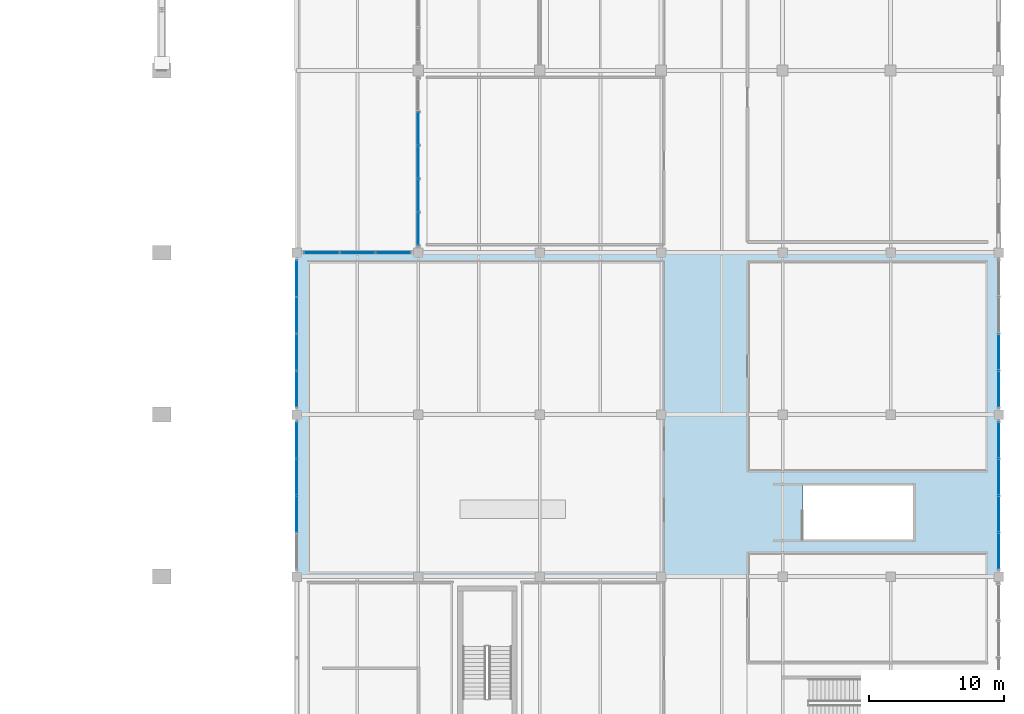
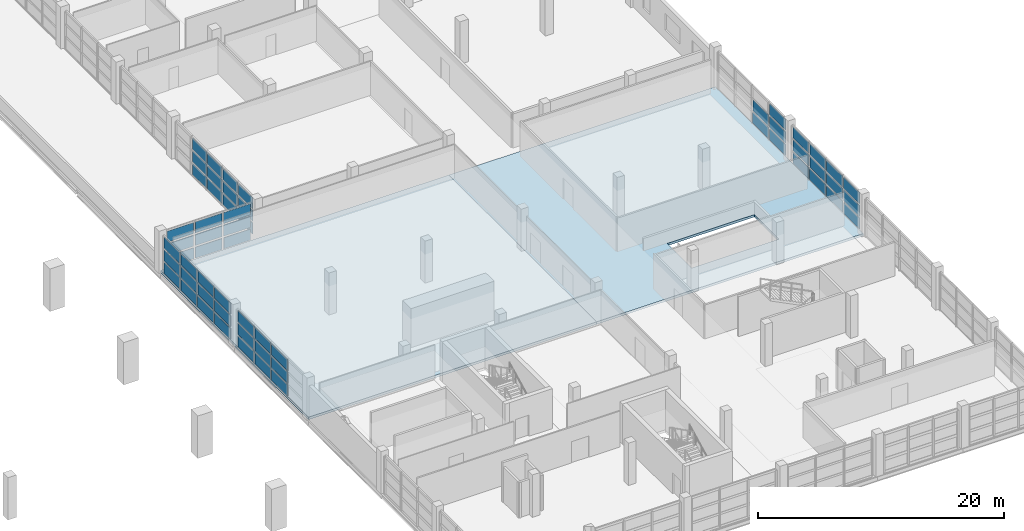
# One storey, part 112 of 136: 59 plates, 2 slabs, 6 elements without a shape of their own.
"""IFC4 building model written with IfcOpenShell, lengths in metres."""

from ifc_helpers import new_model, si_unit, direction, frame, origin, origin_2d, place, context, subcontext, project, spatial, polyline, rectangle, outline, extrude, material, layer, layer_set, type_object, element, aggregate, save


model = new_model("IFC4")

# Units and contexts
model_context = context("Model", 3, precision=1e-05, world=origin(), true_north=direction((0.0, 1.0)))
body_context = subcontext(model_context, "Body", "Model", "MODEL_VIEW")
ifc_project = project(units=[si_unit("LENGTHUNIT", "METRE"), si_unit("AREAUNIT", "SQUARE_METRE"), si_unit("VOLUMEUNIT", "CUBIC_METRE"), si_unit("PLANEANGLEUNIT", "RADIAN"), si_unit("MASSUNIT", "GRAM", prefix="KILO")], contexts=[model_context])

# Site, building, storey
site_placement = place(None, origin())
site = spatial("IfcSite", under=ifc_project, at=site_placement, CompositionType="ELEMENT")
building_placement = place(site_placement, origin())
building = spatial("IfcBuilding", under=site, at=building_placement, Name="Chuanluo Vaults Station", CompositionType="ELEMENT")
storey_placement = place(building_placement, frame((0.0, 0.0, 6.60009765625)))
storey = spatial("IfcBuildingStorey", under=building, at=storey_placement, Name="L01", CompositionType="ELEMENT", Elevation=6.60009765625)

# Curtain wall, plates
ifc_material_1 = material(Name="Anodised aluminium 6063-T6", Category="aluminium")
curtain_wall_type_1 = type_object("IfcCurtainWallType", Name="CW-SYS-07", PredefinedType="NOTDEFINED", material=ifc_material_1)
curtain_wall_1_placement = place(storey_placement, origin())
curtain_wall_1 = element("IfcCurtainWall", 1, at=curtain_wall_1_placement, inside=storey, type_object=curtain_wall_type_1, Name="Retail pavilion L01 facade CW", PredefinedType="NOTDEFINED")
ifc_material_2 = material(Name="Ceramic-fritted spandrel glass", Category="glass")
ifc_layer_1 = layer(ifc_material_2, 0.06396484375)
ifc_layer_set_1 = layer_set([ifc_layer_1], Name="Ceramic-fritted spandrel glass")
plate_type_1 = type_object("IfcPlateType", Name="CWP-SPN-42", PredefinedType="SHEET", material=ifc_layer_set_1)
plate_1_placement = place(storey_placement, frame((136.0, 34.63134765625, 0.080078125), z_axis=(0.0, 0.0, 1.0), x_axis=(0.0, 1.0, 0.0)))
plate_1 = element("IfcPlate", 2, at=plate_1_placement, type_object=plate_type_1, Name="Retail pavilion L01 facade CW glazed panel 2.1", PredefinedType="SHEET", context=body_context, shape_type="SweptSolid", body=[
    extrude(rectangle(XDim=2.577392578125, YDim=0.06396484375, at=origin_2d()), origin(), (0.0, 0.0, 1.0), 1.090087890625),
])
plate_2_placement = place(storey_placement, frame((136.0, 37.36865234375, 0.080078125), z_axis=(0.0, 0.0, 1.0), x_axis=(0.0, 1.0, 0.0)))
plate_2 = element("IfcPlate", 3, at=plate_2_placement, type_object=plate_type_1, Name="Retail pavilion L01 facade CW glazed panel 3.1", PredefinedType="SHEET", context=body_context, shape_type="SweptSolid", body=[
    extrude(rectangle(XDim=2.577392578125, YDim=0.06396484375, at=origin_2d()), origin(), (0.0, 0.0, 1.0), 1.090087890625),
])
plate_3_placement = place(storey_placement, frame((136.0, 40.106201171875, 0.080078125), z_axis=(0.0, 0.0, 1.0), x_axis=(0.0, 1.0, 0.0)))
plate_3 = element("IfcPlate", 4, at=plate_3_placement, type_object=plate_type_1, Name="Retail pavilion L01 facade CW glazed panel 4.1", PredefinedType="SHEET", context=body_context, shape_type="SweptSolid", body=[
    extrude(rectangle(XDim=2.577392578125, YDim=0.06396484375, at=origin_2d()), origin(), (0.0, 0.0, 1.0), 1.090087890625),
])

ifc_material_3 = material(Name="Anodised aluminium 6063-T6", Category="aluminium")
curtain_wall_type_2 = type_object("IfcCurtainWallType", Name="CW-SYS-19", PredefinedType="NOTDEFINED", material=ifc_material_3)
curtain_wall_2_placement = place(storey_placement, origin())
curtain_wall_2 = element("IfcCurtainWall", 5, at=curtain_wall_2_placement, inside=storey, type_object=curtain_wall_type_2, Name="Retail pavilion L01 facade CW", PredefinedType="NOTDEFINED")
plate_4_placement = place(storey_placement, frame((188.0, 46.63134765625, 0.080078125), z_axis=(0.0, 0.0, 1.0), x_axis=(0.0, -1.0, 0.0)))
plate_4 = element("IfcPlate", 6, at=plate_4_placement, type_object=plate_type_1, Name="Retail pavilion L01 facade CW glazed panel 3.1", PredefinedType="SHEET", context=body_context, shape_type="SweptSolid", body=[
    extrude(rectangle(XDim=2.577392578125, YDim=0.06396484375, at=origin_2d()), origin(), (0.0, 0.0, 1.0), 1.090087890625),
])
plate_5_placement = place(storey_placement, frame((188.0, 43.893798828125, 0.080078125), z_axis=(0.0, 0.0, 1.0), x_axis=(0.0, -1.0, 0.0)))
plate_5 = element("IfcPlate", 7, at=plate_5_placement, type_object=plate_type_1, Name="Retail pavilion L01 facade CW glazed panel 4.1", PredefinedType="SHEET", context=body_context, shape_type="SweptSolid", body=[
    extrude(rectangle(XDim=2.577392578125, YDim=0.06396484375, at=origin_2d()), origin(), (0.0, 0.0, 1.0), 1.090087890625),
])

ifc_material_4 = material(Name="Anodised aluminium 6063-T6", Category="aluminium")
curtain_wall_type_3 = type_object("IfcCurtainWallType", Name="CW-SYS-09", PredefinedType="NOTDEFINED", material=ifc_material_4)
curtain_wall_3_placement = place(storey_placement, origin())
curtain_wall_3 = element("IfcCurtainWall", 8, at=curtain_wall_3_placement, inside=storey, type_object=curtain_wall_type_3, Name="Operations L01 facade CW", PredefinedType="NOTDEFINED")
plate_6_placement = place(storey_placement, frame((145.0, 55.764892578125, 0.080078125), z_axis=(0.0, 0.0, 1.0), x_axis=(0.0, 1.0, 0.0)))
plate_6 = element("IfcPlate", 9, at=plate_6_placement, type_object=plate_type_1, Name="Operations L01 facade CW glazed panel 1.1", PredefinedType="SHEET", context=body_context, shape_type="SweptSolid", body=[
    extrude(rectangle(XDim=2.320068359375, YDim=0.06396484375, at=origin_2d()), origin(), (0.0, 0.0, 1.0), 1.090087890625),
])
plate_7_placement = place(storey_placement, frame((145.0, 58.2451171875, 0.080078125), z_axis=(0.0, 0.0, 1.0), x_axis=(0.0, 1.0, 0.0)))
plate_7 = element("IfcPlate", 10, at=plate_7_placement, type_object=plate_type_1, Name="Operations L01 facade CW glazed panel 2.1", PredefinedType="SHEET", context=body_context, shape_type="SweptSolid", body=[
    extrude(rectangle(XDim=2.320068359375, YDim=0.06396484375, at=origin_2d()), origin(), (0.0, 0.0, 1.0), 1.090087890625),
])
plate_8_placement = place(storey_placement, frame((145.0, 60.72509765625, 0.080078125), z_axis=(0.0, 0.0, 1.0), x_axis=(0.0, 1.0, 0.0)))
plate_8 = element("IfcPlate", 11, at=plate_8_placement, type_object=plate_type_1, Name="Operations L01 facade CW glazed panel 3.1", PredefinedType="SHEET", context=body_context, shape_type="SweptSolid", body=[
    extrude(rectangle(XDim=2.320068359375, YDim=0.06396484375, at=origin_2d()), origin(), (0.0, 0.0, 1.0), 1.090087890625),
])
plate_9_placement = place(storey_placement, frame((145.0, 63.205078125, 0.080078125), z_axis=(0.0, 0.0, 1.0), x_axis=(0.0, 1.0, 0.0)))
plate_9 = element("IfcPlate", 12, at=plate_9_placement, type_object=plate_type_1, Name="Operations L01 facade CW glazed panel 4.1", PredefinedType="SHEET", context=body_context, shape_type="SweptSolid", body=[
    extrude(rectangle(XDim=2.320068359375, YDim=0.06396484375, at=origin_2d()), origin(), (0.0, 0.0, 1.0), 1.090087890625),
])

ifc_material_5 = material(Name="Anodised aluminium 6063-T6", Category="aluminium")
curtain_wall_type_4 = type_object("IfcCurtainWallType", Name="CW-SYS-08", PredefinedType="NOTDEFINED", material=ifc_material_5)
curtain_wall_4_placement = place(storey_placement, origin())
curtain_wall_4 = element("IfcCurtainWall", 13, at=curtain_wall_4_placement, inside=storey, type_object=curtain_wall_type_4, Name="Retail pavilion L01 facade CW", PredefinedType="NOTDEFINED")
ifc_material_6 = material(Name="Ceramic-fritted spandrel glass", Category="glass")
ifc_layer_2 = layer(ifc_material_6, 0.070068359375)
ifc_layer_set_2 = layer_set([ifc_layer_2], Name="Ceramic-fritted spandrel glass")
plate_type_2 = type_object("IfcPlateType", Name="CWP-SPN-50", PredefinedType="SHEET", material=ifc_layer_set_2)
plate_10_placement = place(storey_placement, frame((136.0, 43.893798828125, 0.080078125), z_axis=(0.0, 0.0, 1.0), x_axis=(0.0, 1.0, 0.0)))
plate_10 = element("IfcPlate", 14, at=plate_10_placement, type_object=plate_type_2, Name="Retail pavilion L01 facade CW glazed panel 1.1", PredefinedType="SHEET", context=body_context, shape_type="SweptSolid", body=[
    extrude(rectangle(XDim=2.577392578125, YDim=0.070068359375, at=origin_2d()), origin(), (0.0, 0.0, 1.0), 1.090087890625),
])
plate_11_placement = place(storey_placement, frame((136.0, 46.63134765625, 0.080078125), z_axis=(0.0, 0.0, 1.0), x_axis=(0.0, 1.0, 0.0)))
plate_11 = element("IfcPlate", 15, at=plate_11_placement, type_object=plate_type_2, Name="Retail pavilion L01 facade CW glazed panel 2.1", PredefinedType="SHEET", context=body_context, shape_type="SweptSolid", body=[
    extrude(rectangle(XDim=2.577392578125, YDim=0.070068359375, at=origin_2d()), origin(), (0.0, 0.0, 1.0), 1.090087890625),
])
plate_12_placement = place(storey_placement, frame((136.0, 49.36865234375, 0.080078125), z_axis=(0.0, 0.0, 1.0), x_axis=(0.0, 1.0, 0.0)))
plate_12 = element("IfcPlate", 16, at=plate_12_placement, type_object=plate_type_2, Name="Retail pavilion L01 facade CW glazed panel 3.1", PredefinedType="SHEET", context=body_context, shape_type="SweptSolid", body=[
    extrude(rectangle(XDim=2.577392578125, YDim=0.070068359375, at=origin_2d()), origin(), (0.0, 0.0, 1.0), 1.090087890625),
])
plate_13_placement = place(storey_placement, frame((136.0, 52.106201171875, 0.080078125), z_axis=(0.0, 0.0, 1.0), x_axis=(0.0, 1.0, 0.0)))
plate_13 = element("IfcPlate", 17, at=plate_13_placement, type_object=plate_type_2, Name="Retail pavilion L01 facade CW glazed panel 4.1", PredefinedType="SHEET", context=body_context, shape_type="SweptSolid", body=[
    extrude(rectangle(XDim=2.577392578125, YDim=0.070068359375, at=origin_2d()), origin(), (0.0, 0.0, 1.0), 1.090087890625),
])

ifc_material_7 = material(Name="Anodised aluminium 6063-T6", Category="aluminium")
curtain_wall_type_5 = type_object("IfcCurtainWallType", Name="CW-SYS-18", PredefinedType="NOTDEFINED", material=ifc_material_7)
curtain_wall_5_placement = place(storey_placement, origin())
curtain_wall_5 = element("IfcCurtainWall", 18, at=curtain_wall_5_placement, inside=storey, type_object=curtain_wall_type_5, Name="Retail pavilion L01 facade CW", PredefinedType="NOTDEFINED")
plate_14_placement = place(storey_placement, frame((188.0, 40.106201171875, 0.080078125), z_axis=(0.0, 0.0, 1.0), x_axis=(0.0, -1.0, 0.0)))
plate_14 = element("IfcPlate", 19, at=plate_14_placement, type_object=plate_type_2, Name="Retail pavilion L01 facade CW glazed panel 1.1", PredefinedType="SHEET", context=body_context, shape_type="SweptSolid", body=[
    extrude(rectangle(XDim=2.577392578125, YDim=0.070068359375, at=origin_2d()), origin(), (0.0, 0.0, 1.0), 1.090087890625),
])
plate_15_placement = place(storey_placement, frame((188.0, 37.36865234375, 0.080078125), z_axis=(0.0, 0.0, 1.0), x_axis=(0.0, -1.0, 0.0)))
plate_15 = element("IfcPlate", 20, at=plate_15_placement, type_object=plate_type_2, Name="Retail pavilion L01 facade CW glazed panel 2.1", PredefinedType="SHEET", context=body_context, shape_type="SweptSolid", body=[
    extrude(rectangle(XDim=2.577392578125, YDim=0.070068359375, at=origin_2d()), origin(), (0.0, 0.0, 1.0), 1.090087890625),
])
plate_16_placement = place(storey_placement, frame((188.0, 34.63134765625, 0.080078125), z_axis=(0.0, 0.0, 1.0), x_axis=(0.0, -1.0, 0.0)))
plate_16 = element("IfcPlate", 21, at=plate_16_placement, type_object=plate_type_2, Name="Retail pavilion L01 facade CW glazed panel 3.1", PredefinedType="SHEET", context=body_context, shape_type="SweptSolid", body=[
    extrude(rectangle(XDim=2.577392578125, YDim=0.070068359375, at=origin_2d()), origin(), (0.0, 0.0, 1.0), 1.090087890625),
])
plate_17_placement = place(storey_placement, frame((188.0, 31.893798828125, 0.080078125), z_axis=(0.0, 0.0, 1.0), x_axis=(0.0, -1.0, 0.0)))
plate_17 = element("IfcPlate", 22, at=plate_17_placement, type_object=plate_type_2, Name="Retail pavilion L01 facade CW glazed panel 4.1", PredefinedType="SHEET", context=body_context, shape_type="SweptSolid", body=[
    extrude(rectangle(XDim=2.577392578125, YDim=0.070068359375, at=origin_2d()), origin(), (0.0, 0.0, 1.0), 1.090087890625),
])

ifc_material_8 = material(Name="Anodised aluminium 6063-T6", Category="aluminium")
curtain_wall_type_6 = type_object("IfcCurtainWallType", Name="CW-SYS-20", PredefinedType="NOTDEFINED", material=ifc_material_8)
curtain_wall_6_placement = place(storey_placement, origin())
curtain_wall_6 = element("IfcCurtainWall", 23, at=curtain_wall_6_placement, inside=storey, type_object=curtain_wall_type_6, Name="Retail pavilion L01 facade CW", PredefinedType="NOTDEFINED")
plate_18_placement = place(storey_placement, frame((137.85009765625, 54.0, 0.080078125), z_axis=(0.0, 0.0, 1.0), x_axis=(1.0, 0.0, 0.0)))
plate_18 = element("IfcPlate", 24, at=plate_18_placement, type_object=plate_type_2, Name="Retail pavilion L01 facade CW glazed panel 1.1", PredefinedType="SHEET", context=body_context, shape_type="SweptSolid", body=[
    extrude(rectangle(XDim=2.489990234375, YDim=0.070068359375, at=origin_2d()), origin(), (0.0, 0.0, 1.0), 1.090087890625),
])
plate_19_placement = place(storey_placement, frame((140.5, 54.0, 0.080078125), z_axis=(0.0, 0.0, 1.0), x_axis=(1.0, 0.0, 0.0)))
plate_19 = element("IfcPlate", 25, at=plate_19_placement, type_object=plate_type_2, Name="Retail pavilion L01 facade CW glazed panel 2.1", PredefinedType="SHEET", context=body_context, shape_type="SweptSolid", body=[
    extrude(rectangle(XDim=2.489990234375, YDim=0.070068359375, at=origin_2d()), origin(), (0.0, 0.0, 1.0), 1.090087890625),
])
plate_20_placement = place(storey_placement, frame((143.14990234375, 54.0, 0.080078125), z_axis=(0.0, 0.0, 1.0), x_axis=(1.0, 0.0, 0.0)))
plate_20 = element("IfcPlate", 26, at=plate_20_placement, type_object=plate_type_2, Name="Retail pavilion L01 facade CW glazed panel 3.1", PredefinedType="SHEET", context=body_context, shape_type="SweptSolid", body=[
    extrude(rectangle(XDim=2.489990234375, YDim=0.070068359375, at=origin_2d()), origin(), (0.0, 0.0, 1.0), 1.090087890625),
])

# Plate
ifc_material_9 = material(Name="Double-silver Low-E laminated glass", Category="glass")
ifc_layer_3 = layer(ifc_material_9, 0.0439453125)
ifc_layer_set_3 = layer_set([ifc_layer_3], Name="Double-silver Low-E laminated glass")
plate_type_3 = type_object("IfcPlateType", Name="CWP-VIS-28", PredefinedType="CURTAIN_PANEL", material=ifc_layer_set_3)
plate_21_placement = place(storey_placement, frame((136.0, 43.893798828125, 1.330078125), z_axis=(0.0, 0.0, 1.0), x_axis=(0.0, 1.0, 0.0)))
plate_21 = element("IfcPlate", 27, at=plate_21_placement, type_object=plate_type_3, Name="Retail pavilion L01 facade CW glazed panel 1.2", PredefinedType="CURTAIN_PANEL", context=body_context, shape_type="SweptSolid", body=[
    extrude(rectangle(XDim=2.577392578125, YDim=0.0439453125, at=origin_2d()), origin(), (0.0, 0.0, 1.0), 1.090087890625),
])

plate_22_placement = place(storey_placement, frame((136.0, 43.893798828125, 2.580078125), z_axis=(0.0, 0.0, 1.0), x_axis=(0.0, 1.0, 0.0)))
plate_22 = element("IfcPlate", 28, at=plate_22_placement, type_object=plate_type_3, Name="Retail pavilion L01 facade CW glazed panel 1.3", PredefinedType="CURTAIN_PANEL", context=body_context, shape_type="SweptSolid", body=[
    extrude(rectangle(XDim=2.577392578125, YDim=0.0439453125, at=origin_2d()), origin(), (0.0, 0.0, 1.0), 1.090087890625),
])

plate_23_placement = place(storey_placement, frame((136.0, 46.63134765625, 1.330078125), z_axis=(0.0, 0.0, 1.0), x_axis=(0.0, 1.0, 0.0)))
plate_23 = element("IfcPlate", 29, at=plate_23_placement, type_object=plate_type_3, Name="Retail pavilion L01 facade CW glazed panel 2.2", PredefinedType="CURTAIN_PANEL", context=body_context, shape_type="SweptSolid", body=[
    extrude(rectangle(XDim=2.577392578125, YDim=0.0439453125, at=origin_2d()), origin(), (0.0, 0.0, 1.0), 1.090087890625),
])

plate_24_placement = place(storey_placement, frame((136.0, 46.63134765625, 2.580078125), z_axis=(0.0, 0.0, 1.0), x_axis=(0.0, 1.0, 0.0)))
plate_24 = element("IfcPlate", 30, at=plate_24_placement, type_object=plate_type_3, Name="Retail pavilion L01 facade CW glazed panel 2.3", PredefinedType="CURTAIN_PANEL", context=body_context, shape_type="SweptSolid", body=[
    extrude(rectangle(XDim=2.577392578125, YDim=0.0439453125, at=origin_2d()), origin(), (0.0, 0.0, 1.0), 1.090087890625),
])

plate_25_placement = place(storey_placement, frame((136.0, 49.36865234375, 1.330078125), z_axis=(0.0, 0.0, 1.0), x_axis=(0.0, 1.0, 0.0)))
plate_25 = element("IfcPlate", 31, at=plate_25_placement, type_object=plate_type_3, Name="Retail pavilion L01 facade CW glazed panel 3.2", PredefinedType="CURTAIN_PANEL", context=body_context, shape_type="SweptSolid", body=[
    extrude(rectangle(XDim=2.577392578125, YDim=0.0439453125, at=origin_2d()), origin(), (0.0, 0.0, 1.0), 1.090087890625),
])

plate_26_placement = place(storey_placement, frame((136.0, 49.36865234375, 2.580078125), z_axis=(0.0, 0.0, 1.0), x_axis=(0.0, 1.0, 0.0)))
plate_26 = element("IfcPlate", 32, at=plate_26_placement, type_object=plate_type_3, Name="Retail pavilion L01 facade CW glazed panel 3.3", PredefinedType="CURTAIN_PANEL", context=body_context, shape_type="SweptSolid", body=[
    extrude(rectangle(XDim=2.577392578125, YDim=0.0439453125, at=origin_2d()), origin(), (0.0, 0.0, 1.0), 1.090087890625),
])

plate_27_placement = place(storey_placement, frame((136.0, 52.106201171875, 1.330078125), z_axis=(0.0, 0.0, 1.0), x_axis=(0.0, 1.0, 0.0)))
plate_27 = element("IfcPlate", 33, at=plate_27_placement, type_object=plate_type_3, Name="Retail pavilion L01 facade CW glazed panel 4.2", PredefinedType="CURTAIN_PANEL", context=body_context, shape_type="SweptSolid", body=[
    extrude(rectangle(XDim=2.577392578125, YDim=0.0439453125, at=origin_2d()), origin(), (0.0, 0.0, 1.0), 1.090087890625),
])

plate_28_placement = place(storey_placement, frame((136.0, 52.106201171875, 2.580078125), z_axis=(0.0, 0.0, 1.0), x_axis=(0.0, 1.0, 0.0)))
plate_28 = element("IfcPlate", 34, at=plate_28_placement, type_object=plate_type_3, Name="Retail pavilion L01 facade CW glazed panel 4.3", PredefinedType="CURTAIN_PANEL", context=body_context, shape_type="SweptSolid", body=[
    extrude(rectangle(XDim=2.577392578125, YDim=0.0439453125, at=origin_2d()), origin(), (0.0, 0.0, 1.0), 1.090087890625),
])

aggregate(curtain_wall_4, [plate_10, plate_21, plate_22, plate_11, plate_23, plate_24, plate_12, plate_25, plate_26, plate_13, plate_27, plate_28])

plate_29_placement = place(storey_placement, frame((137.85009765625, 54.0, 1.330078125), z_axis=(0.0, 0.0, 1.0), x_axis=(1.0, 0.0, 0.0)))
plate_29 = element("IfcPlate", 35, at=plate_29_placement, type_object=plate_type_3, Name="Retail pavilion L01 facade CW glazed panel 1.2", PredefinedType="CURTAIN_PANEL", context=body_context, shape_type="SweptSolid", body=[
    extrude(rectangle(XDim=2.489990234375, YDim=0.0439453125, at=origin_2d()), origin(), (0.0, 0.0, 1.0), 1.090087890625),
])

plate_30_placement = place(storey_placement, frame((137.85009765625, 54.0, 2.580078125), z_axis=(0.0, 0.0, 1.0), x_axis=(1.0, 0.0, 0.0)))
plate_30 = element("IfcPlate", 36, at=plate_30_placement, type_object=plate_type_3, Name="Retail pavilion L01 facade CW glazed panel 1.3", PredefinedType="CURTAIN_PANEL", context=body_context, shape_type="SweptSolid", body=[
    extrude(rectangle(XDim=2.489990234375, YDim=0.0439453125, at=origin_2d()), origin(), (0.0, 0.0, 1.0), 1.090087890625),
])

plate_31_placement = place(storey_placement, frame((140.5, 54.0, 1.330078125), z_axis=(0.0, 0.0, 1.0), x_axis=(1.0, 0.0, 0.0)))
plate_31 = element("IfcPlate", 37, at=plate_31_placement, type_object=plate_type_3, Name="Retail pavilion L01 facade CW glazed panel 2.2", PredefinedType="CURTAIN_PANEL", context=body_context, shape_type="SweptSolid", body=[
    extrude(rectangle(XDim=2.489990234375, YDim=0.0439453125, at=origin_2d()), origin(), (0.0, 0.0, 1.0), 1.090087890625),
])

plate_32_placement = place(storey_placement, frame((140.5, 54.0, 2.580078125), z_axis=(0.0, 0.0, 1.0), x_axis=(1.0, 0.0, 0.0)))
plate_32 = element("IfcPlate", 38, at=plate_32_placement, type_object=plate_type_3, Name="Retail pavilion L01 facade CW glazed panel 2.3", PredefinedType="CURTAIN_PANEL", context=body_context, shape_type="SweptSolid", body=[
    extrude(rectangle(XDim=2.489990234375, YDim=0.0439453125, at=origin_2d()), origin(), (0.0, 0.0, 1.0), 1.090087890625),
])

plate_33_placement = place(storey_placement, frame((143.14990234375, 54.0, 1.330078125), z_axis=(0.0, 0.0, 1.0), x_axis=(1.0, 0.0, 0.0)))
plate_33 = element("IfcPlate", 39, at=plate_33_placement, type_object=plate_type_3, Name="Retail pavilion L01 facade CW glazed panel 3.2", PredefinedType="CURTAIN_PANEL", context=body_context, shape_type="SweptSolid", body=[
    extrude(rectangle(XDim=2.489990234375, YDim=0.0439453125, at=origin_2d()), origin(), (0.0, 0.0, 1.0), 1.090087890625),
])

plate_34_placement = place(storey_placement, frame((143.14990234375, 54.0, 2.580078125), z_axis=(0.0, 0.0, 1.0), x_axis=(1.0, 0.0, 0.0)))
plate_34 = element("IfcPlate", 40, at=plate_34_placement, type_object=plate_type_3, Name="Retail pavilion L01 facade CW glazed panel 3.3", PredefinedType="CURTAIN_PANEL", context=body_context, shape_type="SweptSolid", body=[
    extrude(rectangle(XDim=2.489990234375, YDim=0.0439453125, at=origin_2d()), origin(), (0.0, 0.0, 1.0), 1.090087890625),
])

aggregate(curtain_wall_6, [plate_18, plate_29, plate_30, plate_19, plate_31, plate_32, plate_20, plate_33, plate_34])

ifc_material_10 = material(Name="Double-silver Low-E laminated glass", Category="glass")
ifc_layer_4 = layer(ifc_material_10, 0.048095703125)
ifc_layer_set_4 = layer_set([ifc_layer_4], Name="Double-silver Low-E laminated glass")
plate_type_4 = type_object("IfcPlateType", Name="CWP-VIS-32", PredefinedType="CURTAIN_PANEL", material=ifc_layer_set_4)
plate_35_placement = place(storey_placement, frame((136.0, 34.63134765625, 1.330078125), z_axis=(0.0, 0.0, 1.0), x_axis=(0.0, 1.0, 0.0)))
plate_35 = element("IfcPlate", 41, at=plate_35_placement, type_object=plate_type_4, Name="Retail pavilion L01 facade CW glazed panel 2.2", PredefinedType="CURTAIN_PANEL", context=body_context, shape_type="SweptSolid", body=[
    extrude(rectangle(XDim=2.577392578125, YDim=0.048095703125, at=origin_2d()), origin(), (0.0, 0.0, 1.0), 1.090087890625),
])

plate_36_placement = place(storey_placement, frame((136.0, 34.63134765625, 2.580078125), z_axis=(0.0, 0.0, 1.0), x_axis=(0.0, 1.0, 0.0)))
plate_36 = element("IfcPlate", 42, at=plate_36_placement, type_object=plate_type_4, Name="Retail pavilion L01 facade CW glazed panel 2.3", PredefinedType="CURTAIN_PANEL", context=body_context, shape_type="SweptSolid", body=[
    extrude(rectangle(XDim=2.577392578125, YDim=0.048095703125, at=origin_2d()), origin(), (0.0, 0.0, 1.0), 1.090087890625),
])

plate_37_placement = place(storey_placement, frame((136.0, 37.36865234375, 1.330078125), z_axis=(0.0, 0.0, 1.0), x_axis=(0.0, 1.0, 0.0)))
plate_37 = element("IfcPlate", 43, at=plate_37_placement, type_object=plate_type_4, Name="Retail pavilion L01 facade CW glazed panel 3.2", PredefinedType="CURTAIN_PANEL", context=body_context, shape_type="SweptSolid", body=[
    extrude(rectangle(XDim=2.577392578125, YDim=0.048095703125, at=origin_2d()), origin(), (0.0, 0.0, 1.0), 1.090087890625),
])

plate_38_placement = place(storey_placement, frame((136.0, 37.36865234375, 2.580078125), z_axis=(0.0, 0.0, 1.0), x_axis=(0.0, 1.0, 0.0)))
plate_38 = element("IfcPlate", 44, at=plate_38_placement, type_object=plate_type_4, Name="Retail pavilion L01 facade CW glazed panel 3.3", PredefinedType="CURTAIN_PANEL", context=body_context, shape_type="SweptSolid", body=[
    extrude(rectangle(XDim=2.577392578125, YDim=0.048095703125, at=origin_2d()), origin(), (0.0, 0.0, 1.0), 1.090087890625),
])

plate_39_placement = place(storey_placement, frame((136.0, 40.106201171875, 1.330078125), z_axis=(0.0, 0.0, 1.0), x_axis=(0.0, 1.0, 0.0)))
plate_39 = element("IfcPlate", 45, at=plate_39_placement, type_object=plate_type_4, Name="Retail pavilion L01 facade CW glazed panel 4.2", PredefinedType="CURTAIN_PANEL", context=body_context, shape_type="SweptSolid", body=[
    extrude(rectangle(XDim=2.577392578125, YDim=0.048095703125, at=origin_2d()), origin(), (0.0, 0.0, 1.0), 1.090087890625),
])

plate_40_placement = place(storey_placement, frame((136.0, 40.106201171875, 2.580078125), z_axis=(0.0, 0.0, 1.0), x_axis=(0.0, 1.0, 0.0)))
plate_40 = element("IfcPlate", 46, at=plate_40_placement, type_object=plate_type_4, Name="Retail pavilion L01 facade CW glazed panel 4.3", PredefinedType="CURTAIN_PANEL", context=body_context, shape_type="SweptSolid", body=[
    extrude(rectangle(XDim=2.577392578125, YDim=0.048095703125, at=origin_2d()), origin(), (0.0, 0.0, 1.0), 1.090087890625),
])

aggregate(curtain_wall_1, [plate_1, plate_35, plate_36, plate_2, plate_37, plate_38, plate_3, plate_39, plate_40])

plate_41_placement = place(storey_placement, frame((188.0, 46.63134765625, 1.330078125), z_axis=(0.0, 0.0, 1.0), x_axis=(0.0, -1.0, 0.0)))
plate_41 = element("IfcPlate", 47, at=plate_41_placement, type_object=plate_type_4, Name="Retail pavilion L01 facade CW glazed panel 3.2", PredefinedType="CURTAIN_PANEL", context=body_context, shape_type="SweptSolid", body=[
    extrude(rectangle(XDim=2.577392578125, YDim=0.048095703125, at=origin_2d()), origin(), (0.0, 0.0, 1.0), 1.090087890625),
])

plate_42_placement = place(storey_placement, frame((188.0, 43.893798828125, 1.330078125), z_axis=(0.0, 0.0, 1.0), x_axis=(0.0, -1.0, 0.0)))
plate_42 = element("IfcPlate", 48, at=plate_42_placement, type_object=plate_type_4, Name="Retail pavilion L01 facade CW glazed panel 4.2", PredefinedType="CURTAIN_PANEL", context=body_context, shape_type="SweptSolid", body=[
    extrude(rectangle(XDim=2.577392578125, YDim=0.048095703125, at=origin_2d()), origin(), (0.0, 0.0, 1.0), 1.090087890625),
])

plate_43_placement = place(storey_placement, frame((188.0, 43.893798828125, 2.580078125), z_axis=(0.0, 0.0, 1.0), x_axis=(0.0, -1.0, 0.0)))
plate_43 = element("IfcPlate", 49, at=plate_43_placement, type_object=plate_type_4, Name="Retail pavilion L01 facade CW glazed panel 4.3", PredefinedType="CURTAIN_PANEL", context=body_context, shape_type="SweptSolid", body=[
    extrude(rectangle(XDim=2.577392578125, YDim=0.048095703125, at=origin_2d()), origin(), (0.0, 0.0, 1.0), 1.090087890625),
])

aggregate(curtain_wall_2, [plate_4, plate_41, plate_5, plate_42, plate_43])

ifc_material_11 = material(Name="Double-silver Low-E laminated glass", Category="glass")
ifc_layer_5 = layer(ifc_material_11, 0.053955078125)
ifc_layer_set_5 = layer_set([ifc_layer_5], Name="Double-silver Low-E laminated glass")
plate_type_5 = type_object("IfcPlateType", Name="CWP-VIS-36", PredefinedType="CURTAIN_PANEL", material=ifc_layer_set_5)
plate_44_placement = place(storey_placement, frame((188.0, 40.106201171875, 1.330078125), z_axis=(0.0, 0.0, 1.0), x_axis=(0.0, -1.0, 0.0)))
plate_44 = element("IfcPlate", 50, at=plate_44_placement, type_object=plate_type_5, Name="Retail pavilion L01 facade CW glazed panel 1.2", PredefinedType="CURTAIN_PANEL", context=body_context, shape_type="SweptSolid", body=[
    extrude(rectangle(XDim=2.577392578125, YDim=0.053955078125, at=origin_2d()), origin(), (0.0, 0.0, 1.0), 1.090087890625),
])

plate_45_placement = place(storey_placement, frame((188.0, 40.106201171875, 2.580078125), z_axis=(0.0, 0.0, 1.0), x_axis=(0.0, -1.0, 0.0)))
plate_45 = element("IfcPlate", 51, at=plate_45_placement, type_object=plate_type_5, Name="Retail pavilion L01 facade CW glazed panel 1.3", PredefinedType="CURTAIN_PANEL", context=body_context, shape_type="SweptSolid", body=[
    extrude(rectangle(XDim=2.577392578125, YDim=0.053955078125, at=origin_2d()), origin(), (0.0, 0.0, 1.0), 1.090087890625),
])

plate_46_placement = place(storey_placement, frame((188.0, 37.36865234375, 1.330078125), z_axis=(0.0, 0.0, 1.0), x_axis=(0.0, -1.0, 0.0)))
plate_46 = element("IfcPlate", 52, at=plate_46_placement, type_object=plate_type_5, Name="Retail pavilion L01 facade CW glazed panel 2.2", PredefinedType="CURTAIN_PANEL", context=body_context, shape_type="SweptSolid", body=[
    extrude(rectangle(XDim=2.577392578125, YDim=0.053955078125, at=origin_2d()), origin(), (0.0, 0.0, 1.0), 1.090087890625),
])

plate_47_placement = place(storey_placement, frame((188.0, 37.36865234375, 2.580078125), z_axis=(0.0, 0.0, 1.0), x_axis=(0.0, -1.0, 0.0)))
plate_47 = element("IfcPlate", 53, at=plate_47_placement, type_object=plate_type_5, Name="Retail pavilion L01 facade CW glazed panel 2.3", PredefinedType="CURTAIN_PANEL", context=body_context, shape_type="SweptSolid", body=[
    extrude(rectangle(XDim=2.577392578125, YDim=0.053955078125, at=origin_2d()), origin(), (0.0, 0.0, 1.0), 1.090087890625),
])

plate_48_placement = place(storey_placement, frame((188.0, 34.63134765625, 1.330078125), z_axis=(0.0, 0.0, 1.0), x_axis=(0.0, -1.0, 0.0)))
plate_48 = element("IfcPlate", 54, at=plate_48_placement, type_object=plate_type_5, Name="Retail pavilion L01 facade CW glazed panel 3.2", PredefinedType="CURTAIN_PANEL", context=body_context, shape_type="SweptSolid", body=[
    extrude(rectangle(XDim=2.577392578125, YDim=0.053955078125, at=origin_2d()), origin(), (0.0, 0.0, 1.0), 1.090087890625),
])

plate_49_placement = place(storey_placement, frame((188.0, 34.63134765625, 2.580078125), z_axis=(0.0, 0.0, 1.0), x_axis=(0.0, -1.0, 0.0)))
plate_49 = element("IfcPlate", 55, at=plate_49_placement, type_object=plate_type_5, Name="Retail pavilion L01 facade CW glazed panel 3.3", PredefinedType="CURTAIN_PANEL", context=body_context, shape_type="SweptSolid", body=[
    extrude(rectangle(XDim=2.577392578125, YDim=0.053955078125, at=origin_2d()), origin(), (0.0, 0.0, 1.0), 1.090087890625),
])

plate_50_placement = place(storey_placement, frame((188.0, 31.893798828125, 1.330078125), z_axis=(0.0, 0.0, 1.0), x_axis=(0.0, -1.0, 0.0)))
plate_50 = element("IfcPlate", 56, at=plate_50_placement, type_object=plate_type_5, Name="Retail pavilion L01 facade CW glazed panel 4.2", PredefinedType="CURTAIN_PANEL", context=body_context, shape_type="SweptSolid", body=[
    extrude(rectangle(XDim=2.577392578125, YDim=0.053955078125, at=origin_2d()), origin(), (0.0, 0.0, 1.0), 1.090087890625),
])

plate_51_placement = place(storey_placement, frame((188.0, 31.893798828125, 2.580078125), z_axis=(0.0, 0.0, 1.0), x_axis=(0.0, -1.0, 0.0)))
plate_51 = element("IfcPlate", 57, at=plate_51_placement, type_object=plate_type_5, Name="Retail pavilion L01 facade CW glazed panel 4.3", PredefinedType="CURTAIN_PANEL", context=body_context, shape_type="SweptSolid", body=[
    extrude(rectangle(XDim=2.577392578125, YDim=0.053955078125, at=origin_2d()), origin(), (0.0, 0.0, 1.0), 1.090087890625),
])

aggregate(curtain_wall_5, [plate_14, plate_44, plate_45, plate_15, plate_46, plate_47, plate_16, plate_48, plate_49, plate_17, plate_50, plate_51])

ifc_material_12 = material(Name="Double-silver Low-E laminated glass", Category="glass")
ifc_layer_6 = layer(ifc_material_12, 0.05810546875)
ifc_layer_set_6 = layer_set([ifc_layer_6], Name="Double-silver Low-E laminated glass")
plate_type_6 = type_object("IfcPlateType", Name="CWP-VIS-38", PredefinedType="CURTAIN_PANEL", material=ifc_layer_set_6)
plate_52_placement = place(storey_placement, frame((145.0, 55.764892578125, 1.330078125), z_axis=(0.0, 0.0, 1.0), x_axis=(0.0, 1.0, 0.0)))
plate_52 = element("IfcPlate", 58, at=plate_52_placement, type_object=plate_type_6, Name="Operations L01 facade CW glazed panel 1.2", PredefinedType="CURTAIN_PANEL", context=body_context, shape_type="SweptSolid", body=[
    extrude(rectangle(XDim=2.320068359375, YDim=0.05810546875, at=origin_2d()), origin(), (0.0, 0.0, 1.0), 1.090087890625),
])

plate_53_placement = place(storey_placement, frame((145.0, 55.764892578125, 2.580078125), z_axis=(0.0, 0.0, 1.0), x_axis=(0.0, 1.0, 0.0)))
plate_53 = element("IfcPlate", 59, at=plate_53_placement, type_object=plate_type_6, Name="Operations L01 facade CW glazed panel 1.3", PredefinedType="CURTAIN_PANEL", context=body_context, shape_type="SweptSolid", body=[
    extrude(rectangle(XDim=2.320068359375, YDim=0.05810546875, at=origin_2d()), origin(), (0.0, 0.0, 1.0), 1.090087890625),
])

plate_54_placement = place(storey_placement, frame((145.0, 58.2451171875, 1.330078125), z_axis=(0.0, 0.0, 1.0), x_axis=(0.0, 1.0, 0.0)))
plate_54 = element("IfcPlate", 60, at=plate_54_placement, type_object=plate_type_6, Name="Operations L01 facade CW glazed panel 2.2", PredefinedType="CURTAIN_PANEL", context=body_context, shape_type="SweptSolid", body=[
    extrude(rectangle(XDim=2.320068359375, YDim=0.05810546875, at=origin_2d()), origin(), (0.0, 0.0, 1.0), 1.090087890625),
])

plate_55_placement = place(storey_placement, frame((145.0, 58.2451171875, 2.580078125), z_axis=(0.0, 0.0, 1.0), x_axis=(0.0, 1.0, 0.0)))
plate_55 = element("IfcPlate", 61, at=plate_55_placement, type_object=plate_type_6, Name="Operations L01 facade CW glazed panel 2.3", PredefinedType="CURTAIN_PANEL", context=body_context, shape_type="SweptSolid", body=[
    extrude(rectangle(XDim=2.320068359375, YDim=0.05810546875, at=origin_2d()), origin(), (0.0, 0.0, 1.0), 1.090087890625),
])

plate_56_placement = place(storey_placement, frame((145.0, 60.72509765625, 1.330078125), z_axis=(0.0, 0.0, 1.0), x_axis=(0.0, 1.0, 0.0)))
plate_56 = element("IfcPlate", 62, at=plate_56_placement, type_object=plate_type_6, Name="Operations L01 facade CW glazed panel 3.2", PredefinedType="CURTAIN_PANEL", context=body_context, shape_type="SweptSolid", body=[
    extrude(rectangle(XDim=2.320068359375, YDim=0.05810546875, at=origin_2d()), origin(), (0.0, 0.0, 1.0), 1.090087890625),
])

plate_57_placement = place(storey_placement, frame((145.0, 60.72509765625, 2.580078125), z_axis=(0.0, 0.0, 1.0), x_axis=(0.0, 1.0, 0.0)))
plate_57 = element("IfcPlate", 63, at=plate_57_placement, type_object=plate_type_6, Name="Operations L01 facade CW glazed panel 3.3", PredefinedType="CURTAIN_PANEL", context=body_context, shape_type="SweptSolid", body=[
    extrude(rectangle(XDim=2.320068359375, YDim=0.05810546875, at=origin_2d()), origin(), (0.0, 0.0, 1.0), 1.090087890625),
])

plate_58_placement = place(storey_placement, frame((145.0, 63.205078125, 1.330078125), z_axis=(0.0, 0.0, 1.0), x_axis=(0.0, 1.0, 0.0)))
plate_58 = element("IfcPlate", 64, at=plate_58_placement, type_object=plate_type_6, Name="Operations L01 facade CW glazed panel 4.2", PredefinedType="CURTAIN_PANEL", context=body_context, shape_type="SweptSolid", body=[
    extrude(rectangle(XDim=2.320068359375, YDim=0.05810546875, at=origin_2d()), origin(), (0.0, 0.0, 1.0), 1.090087890625),
])

plate_59_placement = place(storey_placement, frame((145.0, 63.205078125, 2.580078125), z_axis=(0.0, 0.0, 1.0), x_axis=(0.0, 1.0, 0.0)))
plate_59 = element("IfcPlate", 65, at=plate_59_placement, type_object=plate_type_6, Name="Operations L01 facade CW glazed panel 4.3", PredefinedType="CURTAIN_PANEL", context=body_context, shape_type="SweptSolid", body=[
    extrude(rectangle(XDim=2.320068359375, YDim=0.05810546875, at=origin_2d()), origin(), (0.0, 0.0, 1.0), 1.090087890625),
])

aggregate(curtain_wall_3, [plate_6, plate_52, plate_53, plate_7, plate_54, plate_55, plate_8, plate_56, plate_57, plate_9, plate_58, plate_59])

# Slabs
ifc_material_13 = material(Name="Concrete C40", Category="concrete")
ifc_layer_7 = layer(ifc_material_13, 0.239990234375)
ifc_layer_set_7 = layer_set([ifc_layer_7], Name="Concrete C40")
slab_type = type_object("IfcSlabType", Name="SLB-OPS-240", PredefinedType="FLOOR", material=ifc_layer_set_7)
slab_1_placement = place(storey_placement, frame((0.0, 0.0, -0.239990234375)))
element("IfcSlab", 66, at=slab_1_placement, inside=storey, type_object=slab_type, Name="L01 RET slab 02", PredefinedType="FLOOR", context=body_context, shape_type="SweptSolid", body=[
    extrude(outline(polyline([(136.0, 30.0), (163.0, 30.0), (163.0, 54.0), (136.0, 54.0), (136.0, 30.0)])), origin(), (0.0, 0.0, 1.0), 0.239990234375),
])
slab_2_placement = place(storey_placement, frame((0.0, 0.0, -0.239990234375)))
element("IfcSlab", 67, at=slab_2_placement, inside=storey, type_object=slab_type, Name="L01 RET slab 04", PredefinedType="FLOOR", context=body_context, shape_type="SweptSolid", body=[
    extrude(outline(polyline([(163.0, 30.0), (188.0, 30.0), (188.0, 54.0), (163.0, 54.0), (163.0, 30.0)]), holes=[polyline([(173.50390625, 32.75), (181.675048828125, 32.75), (181.675048828125, 36.75), (173.50390625, 36.75), (173.50390625, 32.75)])]), origin(), (0.0, 0.0, 1.0), 0.239990234375),
])

save(model, "model.ifc")
